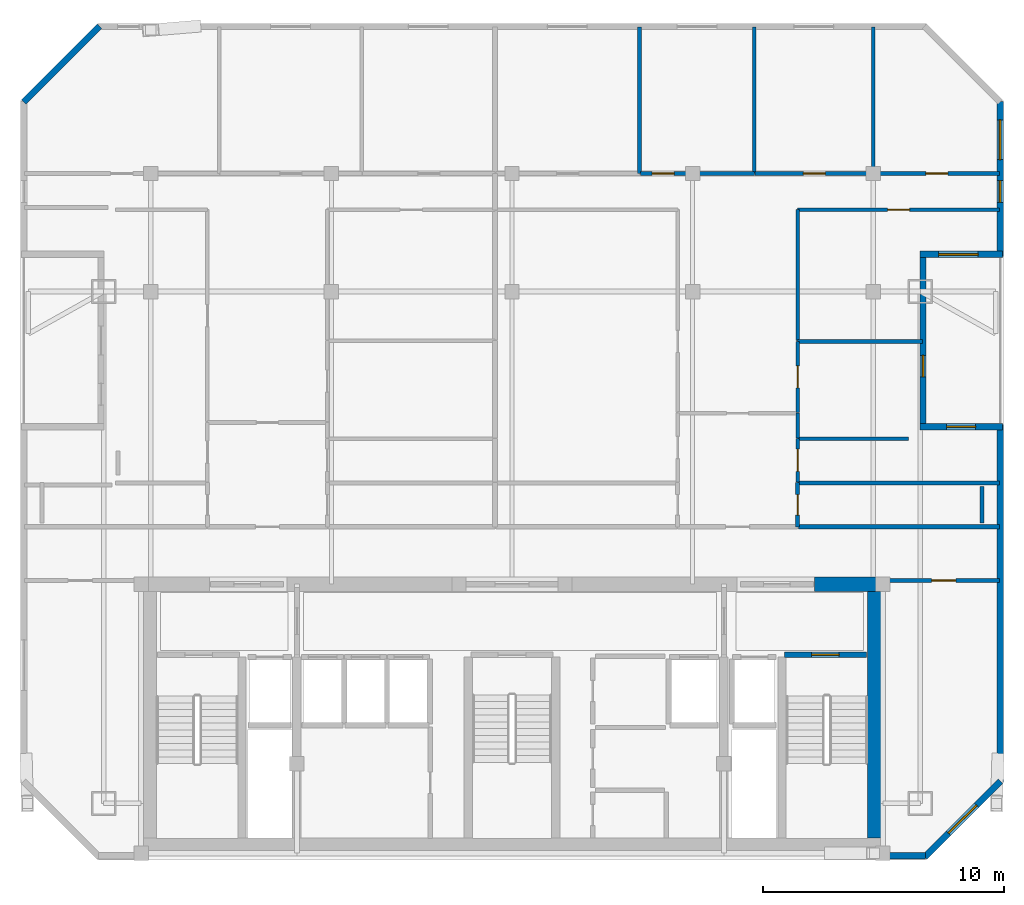
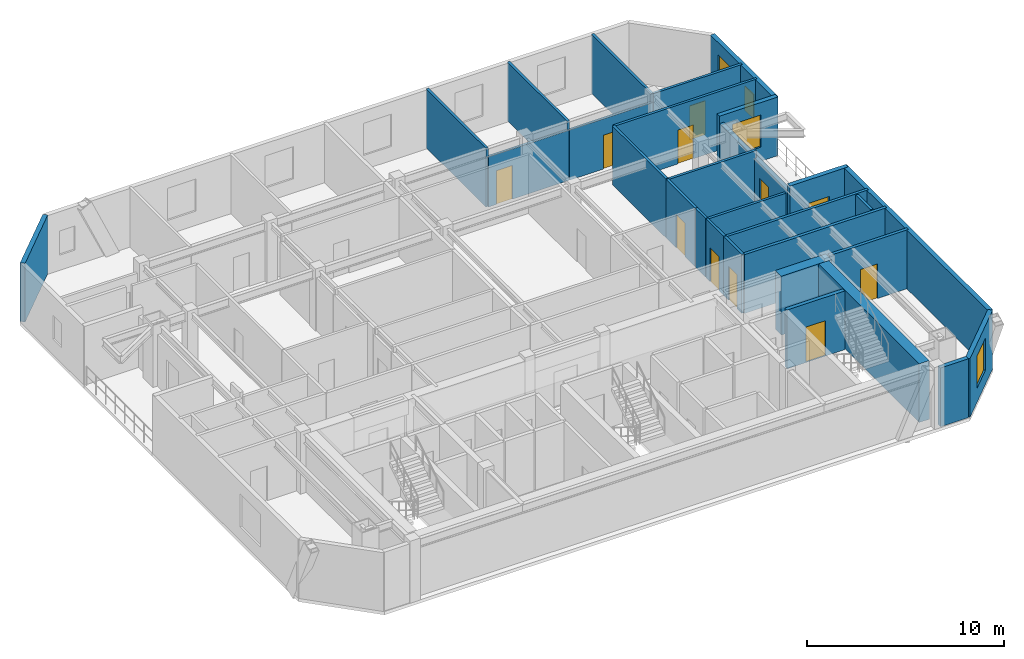
# One storey, part 5 of 7: 29 walls, 10 doors, 5 windows, 15 openings.
"""IFC4 building model written with IfcOpenShell, lengths in metres."""

import ifcopenshell
import ifcopenshell.guid

model = None  # the IFC model being written
_history = None  # IfcOwnerHistory: only IFC2X3 demands one
_inside = {}  # id of a spatial element -> (the spatial element, [elements in it])
_under = {}  # id of a project, library or spatial element -> (it, [spatial elements below it])
_declared = {}  # id of a project -> (the project, [libraries it declares])
_typed = {}  # id of a type object -> (the type object, [elements of that type])
_made_of = {}  # id of a material, layer set ... -> (it, [elements and type objects made of it])


def new_model(schema):
    """Start an empty IFC model of exactly this schema.

    Asked for "IFC4X3", IfcOpenShell would pick the latest addendum, in which some entities
    have other attributes; the version numbers below select the first issue.
    IFC2X3 requires an IfcOwnerHistory on every rooted entity: one is made here for all.
    """
    global model, _history
    if schema == "IFC4X3":
        model = ifcopenshell.file(schema_version=(4, 3, 0, 0))
    else:
        model = ifcopenshell.file(schema=schema)
    _inside.clear()
    _under.clear()
    _declared.clear()
    _typed.clear()
    _made_of.clear()
    _history = None
    if model.schema == "IFC2X3":
        org = make("IfcOrganization", Name="unknown")
        user = make(
            "IfcPersonAndOrganization",
            ThePerson=make("IfcPerson", FamilyName="unknown"),
            TheOrganization=org,
        )
        app = make(
            "IfcApplication",
            ApplicationDeveloper=org,
            Version="unknown",
            ApplicationFullName="unknown",
            ApplicationIdentifier="unknown",
        )
        _history = make(
            "IfcOwnerHistory",
            OwningUser=user,
            OwningApplication=app,
            ChangeAction="ADDED",
            CreationDate=0,
        )
    return model


def make(cls, **values):
    """One entity of the class cls with the attributes given. An attribute that is None is left unset."""
    return model.create_entity(
        cls, **{name: value for name, value in values.items() if value is not None}
    )


def rooted(cls, **values):
    """An entity with a GlobalId (a new one), such as an element, a storey or a relation."""
    return make(cls, GlobalId=ifcopenshell.guid.new(), OwnerHistory=_history, **values)


def si_unit(unit_type, name, prefix=None):
    """IfcSIUnit, for example si_unit("LENGTHUNIT", "METRE", prefix="MILLI")."""
    return make("IfcSIUnit", UnitType=unit_type, Prefix=prefix, Name=name)


def assignment(units):
    """IfcUnitAssignment: the units of a project."""
    return None if units is None else make("IfcUnitAssignment", Units=units)


def point(xyz):
    """IfcCartesianPoint."""
    return None if xyz is None else make("IfcCartesianPoint", Coordinates=xyz)


def direction(xyz):
    """IfcDirection."""
    return None if xyz is None else make("IfcDirection", DirectionRatios=xyz)


def frame(location, z_axis=None, x_axis=None):
    """IfcAxis2Placement3D, a coordinate frame: its origin and axes. An axis left out is left unset."""
    return make(
        "IfcAxis2Placement3D",
        Location=point(location),
        Axis=direction(z_axis),
        RefDirection=direction(x_axis),
    )


def frame_2d(location, x_axis=None):
    """IfcAxis2Placement2D, a coordinate frame in the plane: its origin and x axis."""
    return make(
        "IfcAxis2Placement2D", Location=point(location), RefDirection=direction(x_axis)
    )


def origin():
    """The frame at (0, 0, 0) with its axes left unset."""
    return frame((0.0, 0.0, 0.0))


def place(relative_to, where):
    """IfcLocalPlacement: puts the frame where relative to a parent placement (None: the world)."""
    return make(
        "IfcLocalPlacement", PlacementRelTo=relative_to, RelativePlacement=where
    )


def context(
    kind, dimensions, precision=None, world=None, true_north=None, identifier=None
):
    """IfcGeometricRepresentationContext, for example the 3D "Model" context."""
    return make(
        "IfcGeometricRepresentationContext",
        ContextIdentifier=identifier,
        ContextType=kind,
        CoordinateSpaceDimension=dimensions,
        Precision=precision,
        WorldCoordinateSystem=world,
        TrueNorth=true_north,
    )


def subcontext(parent, identifier, kind, view, scale=None):
    """IfcGeometricRepresentationSubContext, for example "Body" below "Model"."""
    return make(
        "IfcGeometricRepresentationSubContext",
        ContextIdentifier=identifier,
        ContextType=kind,
        ParentContext=parent,
        TargetScale=scale,
        TargetView=view,
    )


def project(units=None, contexts=None):
    """IfcProject with its units and contexts."""
    return rooted(
        "IfcProject",
        Name="project",
        RepresentationContexts=contexts,
        UnitsInContext=assignment(units),
    )


def spatial(cls, under=None, at=None, **own):
    """A site, building, storey or space (cls), placed at a placement, below another one or the project."""
    s = rooted(cls, ObjectPlacement=at, **own)
    if under is not None:
        _under.setdefault(under.id(), (under, []))[1].append(s)
    return s


def profile(cls, at=None, kind="AREA", **sizes):
    """A parametric profile (cls). Its sizes go by their IFC names, for example OverallWidth=200.0."""
    return make(cls, ProfileType=kind, Position=at, **sizes)


def rectangle(**sizes):
    """IfcRectangleProfileDef."""
    return profile("IfcRectangleProfileDef", **sizes)


def extrude(swept, where, along, depth):
    """IfcExtrudedAreaSolid: the profile swept, set in the frame where, extruded along a direction by depth."""
    return make(
        "IfcExtrudedAreaSolid",
        SweptArea=swept,
        Position=where,
        ExtrudedDirection=direction(along),
        Depth=depth,
    )


def shape(context_of_items, identifier, shape_type, items):
    """IfcShapeRepresentation: the items that make up one representation, for example the "Body"."""
    return make(
        "IfcShapeRepresentation",
        ContextOfItems=context_of_items,
        RepresentationIdentifier=identifier,
        RepresentationType=shape_type,
        Items=items,
    )


def material(Name=None, Category=None):
    """IfcMaterial."""
    return make("IfcMaterial", Name=Name, Category=Category)


def layer(
    of_material, thickness, ventilated=None, Name=None, Category=None, Priority=None
):
    """IfcMaterialLayer: one layer of a wall or slab, of a material (None: an air gap)."""
    return make(
        "IfcMaterialLayer",
        Material=of_material,
        LayerThickness=thickness,
        IsVentilated=ventilated,
        Name=Name,
        Category=Category,
        Priority=Priority,
    )


def layer_set(layers, Name=None):
    """IfcMaterialLayerSet."""
    return make("IfcMaterialLayerSet", MaterialLayers=layers, LayerSetName=Name)


def made_of(thing, what):
    """Note that an element or type object is made of a material, layer set ...; save() writes the relation."""
    if what is not None:
        _made_of.setdefault(what.id(), (what, []))[1].append(thing)
    return thing


def type_object(cls, material=None, **own):
    """A type object (cls), such as IfcWallType, which elements share."""
    return made_of(rooted(cls, **own), material)


def element(
    cls,
    number,
    at=None,
    inside=None,
    cuts=None,
    type_object=None,
    material=None,
    context=None,
    identifier="Body",
    shape_type=None,
    held_by="IfcProductDefinitionShape",
    body=None,
    shapes=None,
    **own,
):
    """One element of the class cls, such as IfcWall. Its Tag is "e" and its number.

    at: its placement. inside: the storey or other place that contains it. cuts: it is an
    opening in that element (IfcRelVoidsElement). A single representation is given by context,
    identifier, shape_type and body (its items); several are given by shapes. held_by: the class
    of the entity that holds the representations. save() writes the other relations.
    """
    e = rooted(cls, Tag="e%d" % number, ObjectPlacement=at, **own)
    if body is not None:
        shapes = [shape(context, identifier, shape_type, body)]
    if shapes is not None:
        e.Representation = make(held_by, Representations=shapes)
    if inside is not None:
        _inside.setdefault(inside.id(), (inside, []))[1].append(e)
    if cuts is not None:
        rooted(
            "IfcRelVoidsElement", RelatingBuildingElement=cuts, RelatedOpeningElement=e
        )
    if type_object is not None:
        _typed.setdefault(type_object.id(), (type_object, []))[1].append(e)
    return made_of(e, material)


def fill(opening, filler):
    """IfcRelFillsElement: the door or window that sits in an opening."""
    return rooted(
        "IfcRelFillsElement",
        RelatingOpeningElement=opening,
        RelatedBuildingElement=filler,
    )


def aggregate(whole, parts):
    """IfcRelAggregates: a whole, such as a stair, and the parts it consists of."""
    return rooted("IfcRelAggregates", RelatingObject=whole, RelatedObjects=parts)


def save(model, path):
    """Write the relations noted so far, then the file.

    IfcRelAggregates (storeys below a building ...), IfcRelContainedInSpatialStructure (elements
    in a storey), IfcRelDefinesByType, IfcRelAssociatesMaterial and IfcRelDeclares: one each for
    every whole, place, type object, material and project.
    """
    for whole, parts in _under.values():
        aggregate(whole, parts)
    for where, things in _inside.values():
        rooted(
            "IfcRelContainedInSpatialStructure",
            RelatedElements=things,
            RelatingStructure=where,
        )
    for kind, things in _typed.values():
        rooted("IfcRelDefinesByType", RelatedObjects=things, RelatingType=kind)
    for what, things in _made_of.values():
        rooted("IfcRelAssociatesMaterial", RelatedObjects=things, RelatingMaterial=what)
    for by, libraries in _declared.values():
        rooted("IfcRelDeclares", RelatingContext=by, RelatedDefinitions=libraries)
    model.write(path)


model = new_model("IFC4")

# Units and contexts
model_context = context("Model", 3, precision=1e-05, world=origin(), true_north=direction((0.0, 1.0)))
body_context = subcontext(model_context, "Body", "Model", "MODEL_VIEW")
ifc_project = project(units=[si_unit("LENGTHUNIT", "METRE"), si_unit("AREAUNIT", "SQUARE_METRE"), si_unit("VOLUMEUNIT", "CUBIC_METRE"), si_unit("PLANEANGLEUNIT", "RADIAN"), si_unit("MASSUNIT", "GRAM", prefix="KILO")], contexts=[model_context])

# Site, building, storey
site_placement = place(None, origin())
site = spatial("IfcSite", under=ifc_project, at=site_placement, CompositionType="ELEMENT")
building_placement = place(site_placement, origin())
building = spatial("IfcBuilding", under=site, at=building_placement, Name="Ventersveld Concourse Tower", CompositionType="ELEMENT")
storey_placement = place(building_placement, frame((0.0, 0.0, 281.050048828125)))
storey = spatial("IfcBuildingStorey", under=building, at=storey_placement, Name="L69", CompositionType="ELEMENT", Elevation=281.050048828125)

# Walls
ifc_material_1 = material(Name="Concrete C50/60", Category="concrete")
ifc_layer_1 = layer(ifc_material_1, 0.60009765625)
ifc_layer_set_1 = layer_set([ifc_layer_1], Name="Concrete C50/60")
wall_type_1 = type_object("IfcWallType", Name="WL-CORE-600", PredefinedType="SHEAR", material=ifc_layer_set_1)
wall_1_placement = place(storey_placement, frame((43.800048828125, 0.919921875, 0.0), z_axis=(0.0, 0.0, 1.0), x_axis=(0.0, 1.0, 0.0)))
element("IfcWall", 1, at=wall_1_placement, inside=storey, type_object=wall_type_1, Name="L69 Rear Core East Shear Wall", PredefinedType="SHEAR", context=body_context, shape_type="SweptSolid", body=[
    extrude(rectangle(XDim=10.530029296875, YDim=0.60009765625, at=frame_2d((5.26513671875, 0.0))), origin(), (0.0, 0.0, 1.0), 3.64990234375),
])
wall_2_placement = place(storey_placement, frame((41.300048828125, 11.449951171875, 0.0), z_axis=(0.0, 0.0, 1.0), x_axis=(1.0, 0.0, 0.0)))
element("IfcWall", 2, at=wall_2_placement, inside=storey, type_object=wall_type_1, Name="L69 Rear Core North Shear Wall NE", PredefinedType="SHEAR", context=body_context, shape_type="SweptSolid", body=[
    extrude(rectangle(XDim=2.949951171875, YDim=0.60009765625, at=frame_2d((1.47509765625, 0.0))), origin(), (0.0, 0.0, 1.0), 3.64990234375),
])

# Wall, opening, door
ifc_material_2 = material(Name="Fire-rated autoclaved aerated masonry blockwork", Category="masonry")
ifc_layer_2 = layer(ifc_material_2, 0.179931640625)
ifc_layer_set_2 = layer_set([ifc_layer_2], Name="Fire-rated autoclaved aerated masonry blockwork")
wall_type_2 = type_object("IfcWallType", Name="WL-CORR-180", PredefinedType="PARTITIONING", material=ifc_layer_set_2)
wall_3_placement = place(storey_placement, frame((44.35498046875, 11.60009765625, 0.0), z_axis=(0.0, 0.0, 1.0), x_axis=(1.0, 0.0, 0.0)))
wall_3 = element("IfcWall", 3, at=wall_3_placement, inside=storey, type_object=wall_type_2, Name="L69 Interior Partition SP-L69-SE-OFF-SP-L69-COR", PredefinedType="PARTITIONING", context=body_context, shape_type="SweptSolid", body=[
    extrude(rectangle(XDim=4.642333984375, YDim=0.179931640625, at=frame_2d((2.3212890625, 0.0))), origin(), (0.0, 0.0, 1.0), 3.64990234375),
])
opening_1_placement = place(wall_3_placement, frame((1.8212890625, 0.0, 0.0)))
opening_1 = element("IfcOpeningElement", 4, at=opening_1_placement, cuts=wall_3, Name="Opening FD3", PredefinedType="OPENING", context=body_context, shape_type="SweptSolid", body=[
    extrude(rectangle(XDim=1.0, YDim=2.14990234375, at=frame_2d((0.5, 1.074951171875))), frame((0.0, 0.10009765625, 0.0), z_axis=(0.0, -1.0, 0.0), x_axis=(1.0, 0.0, 0.0)), (0.0, 0.0, 1.0), 0.199951171875),
])
ifc_material_3 = material(Name="Solid-core hardwood veneer timber", Category="wood")
door_type_1 = type_object("IfcDoorType", Name="DR-FLAT-100", OperationType="NOTDEFINED", PredefinedType="DOOR", material=ifc_material_3)
door_1_placement = place(opening_1_placement, origin())
door_1 = element("IfcDoor", 5, at=door_1_placement, inside=storey, type_object=door_type_1, Name="L69 Interior Door SP-L69-SE-OFF to SP-L69-COR (D-L69-3225)", OperationType="SINGLE_SWING_LEFT", OverallHeight=2.14990234375, OverallWidth=1.0, PredefinedType="DOOR", context=body_context, shape_type="SweptSolid", body=[
    extrude(rectangle(XDim=1.0, YDim=2.14990234375, at=frame_2d((0.5, 1.074951171875))), frame((0.0, 0.02490234375, 0.0), z_axis=(0.0, -1.0, 0.0), x_axis=(1.0, 0.0, 0.0)), (0.0, 0.0, 1.0), 0.050048828125),
])
fill(opening_1, door_1)

# Wall
wall_4_placement = place(storey_placement, frame((40.642333984375, 13.830078125, 0.0), z_axis=(0.0, 0.0, 1.0), x_axis=(1.0, 0.0, 0.0)))
element("IfcWall", 6, at=wall_4_placement, inside=storey, type_object=wall_type_2, Name="L69 Interior Partition SP-L69-COR-SP-L69-69N2-PWDR1", PredefinedType="PARTITIONING", context=body_context, shape_type="SweptSolid", body=[
    extrude(rectangle(XDim=8.35498046875, YDim=0.179931640625, at=frame_2d((4.177490234375, 0.0))), origin(), (0.0, 0.0, 1.0), 3.64990234375),
])

# Wall, opening, door
ifc_layer_3 = layer(ifc_material_2, 0.219970703125)
ifc_layer_set_3 = layer_set([ifc_layer_3], Name="Fire-rated autoclaved aerated masonry blockwork")
wall_type_3 = type_object("IfcWallType", Name="WL-HOIST-220", PredefinedType="SOLIDWALL", material=ifc_layer_set_3)
wall_5_placement = place(storey_placement, frame((40.06005859375, 8.52001953125, 0.0), z_axis=(0.0, 0.0, 1.0), x_axis=(1.0, 0.0, 0.0)))
wall_5 = element("IfcWall", 7, at=wall_5_placement, inside=storey, type_object=wall_type_3, Name="L69 Escape Stair ST02 Fire Wall", PredefinedType="SOLIDWALL", context=body_context, shape_type="SweptSolid", body=[
    extrude(rectangle(XDim=3.39990234375, YDim=0.219970703125, at=frame_2d((1.699951171875, 0.0))), origin(), (0.0, 0.0, 1.0), 3.64990234375),
])
opening_2_placement = place(wall_5_placement, frame((1.125, 0.0, 0.0)))
opening_2 = element("IfcOpeningElement", 8, at=opening_2_placement, cuts=wall_5, Name="Opening FD1", PredefinedType="OPENING", context=body_context, shape_type="SweptSolid", body=[
    extrude(rectangle(XDim=1.14990234375, YDim=2.199951171875, at=frame_2d((0.574951171875, 1.10009765625))), frame((0.0, 0.1201171875, 0.0), z_axis=(0.0, -1.0, 0.0), x_axis=(1.0, 0.0, 0.0)), (0.0, 0.0, 1.0), 0.239990234375),
])
ifc_material_4 = material(Name="Galvanised painted steel", Category="steel")
door_type_2 = type_object("IfcDoorType", Name="DR-STAIR-115", OperationType="NOTDEFINED", PredefinedType="DOOR", material=ifc_material_4)
door_2_placement = place(opening_2_placement, origin())
door_2 = element("IfcDoor", 9, at=door_2_placement, inside=storey, type_object=door_type_2, Name="L69 Escape Stair Door ST02 (SD-L69-3213)", OperationType="SINGLE_SWING_RIGHT", OverallHeight=2.199951171875, OverallWidth=1.14990234375, PredefinedType="DOOR", context=body_context, shape_type="SweptSolid", body=[
    extrude(rectangle(XDim=1.14990234375, YDim=2.199951171875, at=frame_2d((0.574951171875, 1.10009765625))), frame((0.0, 0.02490234375, 0.0), z_axis=(0.0, -1.0, 0.0), x_axis=(1.0, 0.0, 0.0)), (0.0, 0.0, 1.0), 0.050048828125),
])
fill(opening_2, door_2)

ifc_material_5 = material(Name="Autoclaved aerated masonry blockwork", Category="masonry")
ifc_layer_4 = layer(ifc_material_5, 0.14990234375)
ifc_layer_set_4 = layer_set([ifc_layer_4], Name="Autoclaved aerated masonry blockwork")
wall_type_4 = type_object("IfcWallType", Name="WL-INT-150", PredefinedType="PARTITIONING", material=ifc_layer_set_4)
wall_6_placement = place(storey_placement, frame((40.607421875, 15.695068359375, 0.0), z_axis=(0.0, 0.0, 1.0), x_axis=(0.0, 1.0, 0.0)))
wall_6 = element("IfcWall", 10, at=wall_6_placement, inside=storey, type_object=wall_type_4, Name="L69 Interior Partition SP-L69-69N2-FOY-SP-L69-69N2-KIT", PredefinedType="PARTITIONING", context=body_context, shape_type="SweptSolid", body=[
    extrude(rectangle(XDim=1.800048828125, YDim=0.14990234375, at=frame_2d((0.89990234375, 0.0))), origin(), (0.0, 0.0, 1.0), 3.64990234375),
])
opening_3_placement = place(wall_6_placement, frame((0.43994140625, 0.0, 0.0)))
opening_3 = element("IfcOpeningElement", 11, at=opening_3_placement, cuts=wall_6, Name="Opening ID1", PredefinedType="OPENING", context=body_context, shape_type="SweptSolid", body=[
    extrude(rectangle(XDim=0.919921875, YDim=2.10009765625, at=frame_2d((0.4599609375, 1.050048828125))), frame((0.0, 0.0849609375, 0.0), z_axis=(0.0, -1.0, 0.0), x_axis=(1.0, 0.0, 0.0)), (0.0, 0.0, 1.0), 0.169921875),
])
door_type_3 = type_object("IfcDoorType", Name="DR-ROOM-092", OperationType="NOTDEFINED", PredefinedType="DOOR", material=ifc_material_3)
door_3_placement = place(opening_3_placement, origin())
door_3 = element("IfcDoor", 12, at=door_3_placement, inside=storey, type_object=door_type_3, Name="L69 Interior Door SP-L69-69N2-FOY to SP-L69-69N2-KIT (D-L69-3243)", OperationType="SINGLE_SWING_LEFT", OverallHeight=2.10009765625, OverallWidth=0.919921875, PredefinedType="DOOR", context=body_context, shape_type="SweptSolid", body=[
    extrude(rectangle(XDim=0.919921875, YDim=2.10009765625, at=frame_2d((0.4599609375, 1.050048828125))), frame((0.0, 0.02490234375, 0.0), z_axis=(0.0, -1.0, 0.0), x_axis=(1.0, 0.0, 0.0)), (0.0, 0.0, 1.0), 0.050048828125),
])
fill(opening_3, door_3)

# Wall
wall_7_placement = place(storey_placement, frame((40.607421875, 17.52490234375, 0.0), z_axis=(0.0, 0.0, 1.0), x_axis=(0.0, 1.0, 0.0)))
element("IfcWall", 13, at=wall_7_placement, inside=storey, type_object=wall_type_4, Name="L69 Interior Partition SP-L69-69N2-FOY-SP-L69-69N2-DENR", PredefinedType="PARTITIONING", context=body_context, shape_type="SweptSolid", body=[
    extrude(rectangle(XDim=1.029541015625, YDim=0.14990234375, at=frame_2d((0.5146484375, 0.0))), origin(), (0.0, 0.0, 1.0), 3.64990234375),
])

# Wall, opening, door
wall_8_placement = place(storey_placement, frame((40.607421875, 18.58447265625, 0.0), z_axis=(0.0, 0.0, 1.0), x_axis=(0.0, 1.0, 0.0)))
wall_8 = element("IfcWall", 14, at=wall_8_placement, inside=storey, type_object=wall_type_4, Name="L69 Interior Partition SP-L69-69N2-LIV-SP-L69-69N2-DENR", PredefinedType="PARTITIONING", context=body_context, shape_type="SweptSolid", body=[
    extrude(rectangle(XDim=2.945068359375, YDim=0.14990234375, at=frame_2d((1.47265625, 0.0))), origin(), (0.0, 0.0, 1.0), 3.64990234375),
])
opening_4_placement = place(wall_8_placement, frame((1.012451171875, 0.0, 0.0)))
opening_4 = element("IfcOpeningElement", 15, at=opening_4_placement, cuts=wall_8, Name="Opening ID1", PredefinedType="OPENING", context=body_context, shape_type="SweptSolid", body=[
    extrude(rectangle(XDim=0.919921875, YDim=2.10009765625, at=frame_2d((0.4599609375, 1.050048828125))), frame((0.0, 0.0849609375, 0.0), z_axis=(0.0, -1.0, 0.0), x_axis=(1.0, 0.0, 0.0)), (0.0, 0.0, 1.0), 0.169921875),
])
door_4_placement = place(opening_4_placement, origin())
door_4 = element("IfcDoor", 16, at=door_4_placement, inside=storey, type_object=door_type_3, Name="L69 Interior Door SP-L69-69N2-LIV to SP-L69-69N2-DENR (D-L69-3245)", OperationType="SINGLE_SWING_LEFT", OverallHeight=2.10009765625, OverallWidth=0.919921875, PredefinedType="DOOR", context=body_context, shape_type="SweptSolid", body=[
    extrude(rectangle(XDim=0.919921875, YDim=2.10009765625, at=frame_2d((0.4599609375, 1.050048828125))), frame((0.0, 0.02490234375, 0.0), z_axis=(0.0, -1.0, 0.0), x_axis=(1.0, 0.0, 0.0)), (0.0, 0.0, 1.0), 0.050048828125),
])
fill(opening_4, door_4)

wall_9_placement = place(storey_placement, frame((40.602294921875, 27.0, 0.0), z_axis=(0.0, 0.0, 1.0), x_axis=(1.0, 0.0, 0.0)))
wall_9 = element("IfcWall", 17, at=wall_9_placement, inside=storey, type_object=wall_type_4, Name="L69 Interior Partition SP-L69-69N2-LIV-SP-L69-69N2-DENS2", PredefinedType="PARTITIONING", context=body_context, shape_type="SweptSolid", body=[
    extrude(rectangle(XDim=8.39501953125, YDim=0.14990234375, at=frame_2d((4.197509765625, 0.0))), origin(), (0.0, 0.0, 1.0), 3.64990234375),
])
opening_5_placement = place(wall_9_placement, frame((3.737548828125, 0.0, 0.0)))
opening_5 = element("IfcOpeningElement", 18, at=opening_5_placement, cuts=wall_9, Name="Opening ID1", PredefinedType="OPENING", context=body_context, shape_type="SweptSolid", body=[
    extrude(rectangle(XDim=0.919921875, YDim=2.10009765625, at=frame_2d((0.4599609375, 1.050048828125))), frame((0.0, 0.0849609375, 0.0), z_axis=(0.0, -1.0, 0.0), x_axis=(1.0, 0.0, 0.0)), (0.0, 0.0, 1.0), 0.169921875),
])
door_5_placement = place(opening_5_placement, origin())
door_5 = element("IfcDoor", 19, at=door_5_placement, inside=storey, type_object=door_type_3, Name="L69 Interior Door SP-L69-69N2-LIV to SP-L69-69N2-DENS2 (D-L69-3246)", OperationType="SINGLE_SWING_RIGHT", OverallHeight=2.10009765625, OverallWidth=0.919921875, PredefinedType="DOOR", context=body_context, shape_type="SweptSolid", body=[
    extrude(rectangle(XDim=0.919921875, YDim=2.10009765625, at=frame_2d((0.4599609375, 1.050048828125))), frame((0.0, 0.02490234375, 0.0), z_axis=(0.0, -1.0, 0.0), x_axis=(1.0, 0.0, 0.0)), (0.0, 0.0, 1.0), 0.050048828125),
])
fill(opening_5, door_5)

# Wall
wall_10_placement = place(storey_placement, frame((40.607421875, 21.5595703125, 0.0), z_axis=(0.0, 0.0, 1.0), x_axis=(0.0, 1.0, 0.0)))
element("IfcWall", 20, at=wall_10_placement, inside=storey, type_object=wall_type_4, Name="L69 Interior Partition SP-L69-69N2-LIV-SP-L69-69N2-DENS2", PredefinedType="PARTITIONING", context=body_context, shape_type="SweptSolid", body=[
    extrude(rectangle(XDim=5.4453125, YDim=0.14990234375, at=frame_2d((2.72265625, 0.0))), origin(), (0.0, 0.0, 1.0), 3.64990234375),
])

# Wall, opening, door
wall_11_placement = place(storey_placement, frame((34.07666015625, 28.5, 0.0), z_axis=(0.0, 0.0, 1.0), x_axis=(1.0, 0.0, 0.0)))
wall_11 = element("IfcWall", 21, at=wall_11_placement, inside=storey, type_object=wall_type_4, Name="L69 Interior Partition SP-L69-69N2-LIV-SP-L69-69N2-BR2", PredefinedType="PARTITIONING", context=body_context, shape_type="SweptSolid", body=[
    extrude(rectangle(XDim=4.74169921875, YDim=0.14990234375, at=frame_2d((2.370849609375, 0.0))), origin(), (0.0, 0.0, 1.0), 3.116943359375),
])
opening_6_placement = place(wall_11_placement, frame((0.48828125, 0.0, 0.0)))
opening_6 = element("IfcOpeningElement", 22, at=opening_6_placement, cuts=wall_11, Name="Opening ID1", PredefinedType="OPENING", context=body_context, shape_type="SweptSolid", body=[
    extrude(rectangle(XDim=0.919921875, YDim=2.10009765625, at=frame_2d((0.4599609375, 1.050048828125))), frame((0.0, 0.0849609375, 0.0), z_axis=(0.0, -1.0, 0.0), x_axis=(1.0, 0.0, 0.0)), (0.0, 0.0, 1.0), 0.169921875),
])
door_6_placement = place(opening_6_placement, origin())
door_6 = element("IfcDoor", 23, at=door_6_placement, inside=storey, type_object=door_type_3, Name="L69 Interior Door SP-L69-69N2-LIV to SP-L69-69N2-BR2 (D-L69-3248)", OperationType="SINGLE_SWING_RIGHT", OverallHeight=2.10009765625, OverallWidth=0.919921875, PredefinedType="DOOR", context=body_context, shape_type="SweptSolid", body=[
    extrude(rectangle(XDim=0.919921875, YDim=2.10009765625, at=frame_2d((0.4599609375, 1.050048828125))), frame((0.0, 0.02490234375, 0.0), z_axis=(0.0, -1.0, 0.0), x_axis=(1.0, 0.0, 0.0)), (0.0, 0.0, 1.0), 0.050048828125),
])
fill(opening_6, door_6)

wall_12_placement = place(storey_placement, frame((38.848388671875, 28.5, 0.0), z_axis=(0.0, 0.0, 1.0), x_axis=(1.0, 0.0, 0.0)))
wall_12 = element("IfcWall", 24, at=wall_12_placement, inside=storey, type_object=wall_type_4, Name="L69 Interior Partition SP-L69-69N2-LIV-SP-L69-69N2-BR3", PredefinedType="PARTITIONING", context=body_context, shape_type="SweptSolid", body=[
    extrude(rectangle(XDim=4.906494140625, YDim=0.14990234375, at=frame_2d((2.453125, 0.0))), origin(), (0.0, 0.0, 1.0), 3.116943359375),
])
opening_7_placement = place(wall_12_placement, frame((1.993408203125, 0.0, 0.0)))
opening_7 = element("IfcOpeningElement", 25, at=opening_7_placement, cuts=wall_12, Name="Opening ID1", PredefinedType="OPENING", context=body_context, shape_type="SweptSolid", body=[
    extrude(rectangle(XDim=0.919921875, YDim=2.10009765625, at=frame_2d((0.4599609375, 1.050048828125))), frame((0.0, 0.0849609375, 0.0), z_axis=(0.0, -1.0, 0.0), x_axis=(1.0, 0.0, 0.0)), (0.0, 0.0, 1.0), 0.169921875),
])
door_7_placement = place(opening_7_placement, origin())
door_7 = element("IfcDoor", 26, at=door_7_placement, inside=storey, type_object=door_type_3, Name="L69 Interior Door SP-L69-69N2-LIV to SP-L69-69N2-BR3 (D-L69-3249)", OperationType="SINGLE_SWING_LEFT", OverallHeight=2.10009765625, OverallWidth=0.919921875, PredefinedType="DOOR", context=body_context, shape_type="SweptSolid", body=[
    extrude(rectangle(XDim=0.919921875, YDim=2.10009765625, at=frame_2d((0.4599609375, 1.050048828125))), frame((0.0, 0.02490234375, 0.0), z_axis=(0.0, -1.0, 0.0), x_axis=(1.0, 0.0, 0.0)), (0.0, 0.0, 1.0), 0.050048828125),
])
fill(opening_7, door_7)

wall_13_placement = place(storey_placement, frame((43.784912109375, 28.5, 0.0), z_axis=(0.0, 0.0, 1.0), x_axis=(1.0, 0.0, 0.0)))
wall_13 = element("IfcWall", 27, at=wall_13_placement, inside=storey, type_object=wall_type_4, Name="L69 Interior Partition SP-L69-69N2-LIV-SP-L69-69N2-BR4", PredefinedType="PARTITIONING", context=body_context, shape_type="SweptSolid", body=[
    extrude(rectangle(XDim=5.21240234375, YDim=0.14990234375, at=frame_2d((2.606201171875, 0.0))), origin(), (0.0, 0.0, 1.0), 3.64990234375),
])
opening_8_placement = place(wall_13_placement, frame((2.146240234375, 0.0, 0.0)))
opening_8 = element("IfcOpeningElement", 28, at=opening_8_placement, cuts=wall_13, Name="Opening ID1", PredefinedType="OPENING", context=body_context, shape_type="SweptSolid", body=[
    extrude(rectangle(XDim=0.919921875, YDim=2.10009765625, at=frame_2d((0.4599609375, 1.050048828125))), frame((0.0, 0.0849609375, 0.0), z_axis=(0.0, -1.0, 0.0), x_axis=(1.0, 0.0, 0.0)), (0.0, 0.0, 1.0), 0.169921875),
])
door_8_placement = place(opening_8_placement, origin())
door_8 = element("IfcDoor", 29, at=door_8_placement, inside=storey, type_object=door_type_3, Name="L69 Interior Door SP-L69-69N2-LIV to SP-L69-69N2-BR4 (D-L69-3250)", OperationType="SINGLE_SWING_RIGHT", OverallHeight=2.10009765625, OverallWidth=0.919921875, PredefinedType="DOOR", context=body_context, shape_type="SweptSolid", body=[
    extrude(rectangle(XDim=0.919921875, YDim=2.10009765625, at=frame_2d((0.4599609375, 1.050048828125))), frame((0.0, 0.02490234375, 0.0), z_axis=(0.0, -1.0, 0.0), x_axis=(1.0, 0.0, 0.0)), (0.0, 0.0, 1.0), 0.050048828125),
])
fill(opening_8, door_8)

# Walls
wall_14_placement = place(storey_placement, frame((40.602294921875, 17.489990234375, 0.0), z_axis=(0.0, 0.0, 1.0), x_axis=(1.0, 0.0, 0.0)))
element("IfcWall", 30, at=wall_14_placement, inside=storey, type_object=wall_type_4, Name="L69 Interior Partition SP-L69-69N2-KIT-SP-L69-69N2-DENR", PredefinedType="PARTITIONING", context=body_context, shape_type="SweptSolid", body=[
    extrude(rectangle(XDim=4.599609375, YDim=0.14990234375, at=frame_2d((2.2998046875, 0.0))), origin(), (0.0, 0.0, 1.0), 3.64990234375),
])
wall_15_placement = place(storey_placement, frame((40.602294921875, 21.524658203125, 0.0), z_axis=(0.0, 0.0, 1.0), x_axis=(1.0, 0.0, 0.0)))
element("IfcWall", 31, at=wall_15_placement, inside=storey, type_object=wall_type_4, Name="L69 Interior Partition SP-L69-69N2-DENR-SP-L69-69N2-DENS2", PredefinedType="PARTITIONING", context=body_context, shape_type="SweptSolid", body=[
    extrude(rectangle(XDim=5.195068359375, YDim=0.14990234375, at=frame_2d((2.59765625, 0.0))), origin(), (0.0, 0.0, 1.0), 3.64990234375),
])
for number, where, z_axis, x_axis, name in (
    (32, (34.04150390625, 28.4951171875, 0.0), (0.0, 0.0, 1.0), (0.0, 1.0, 0.0), "L69 Interior Partition SP-L69-69N2-BR1-SP-L69-69N2-BR2"),
    (33, (38.8134765625, 28.4951171875, 0.0), (0.0, 0.0, 1.0), (0.0, 1.0, 0.0), "L69 Interior Partition SP-L69-69N2-BR2-SP-L69-69N2-BR3"),
    (34, (43.75, 28.4951171875, 0.0), (0.0, 0.0, 1.0), (0.0, 1.0, 0.0), "L69 Interior Partition SP-L69-69N2-BR3-SP-L69-69N2-BR4"),
):
    element("IfcWall", number, at=place(storey_placement, frame(where, z_axis=z_axis, x_axis=x_axis)), inside=storey, type_object=wall_type_4, Name=name, PredefinedType="PARTITIONING", context=body_context, shape_type="SweptSolid", body=[
        extrude(rectangle(XDim=6.087890625, YDim=0.14990234375, at=frame_2d((3.0439453125, 0.0))), origin(), (0.0, 0.0, 1.0), 3.64990234375),
    ])
ifc_material_6 = material(Name="Precast concrete C45/55", Category="concrete")
ifc_layer_5 = layer(ifc_material_6, 0.260009765625)
ifc_layer_set_5 = layer_set([ifc_layer_5], Name="Precast concrete C45/55")
wall_type_5 = type_object("IfcWallType", Name="WL-PREC-260", PredefinedType="SOLIDWALL", material=ifc_layer_set_5)
wall_16_placement = place(storey_placement, frame((44.25, 0.179931640625, 0.0), z_axis=(0.0, 0.0, 1.0), x_axis=(1.0, 0.0, 0.0)))
element("IfcWall", 35, at=wall_16_placement, inside=storey, type_object=wall_type_5, Name="L69 South-East Flank Precast Wall", PredefinedType="SOLIDWALL", context=body_context, shape_type="SweptSolid", body=[
    extrude(rectangle(XDim=1.656982421875, YDim=0.260009765625, at=frame_2d((0.82861328125, 0.0))), origin(), (0.0, 0.0, 1.0), 3.64990234375),
])

# Wall, opening, window
wall_17_placement = place(storey_placement, frame((45.88330078125, 0.1201171875, 0.0), z_axis=(0.0, 0.0, 1.0), x_axis=(0.707079321262, 0.707134240044, 0.0)))
wall_17 = element("IfcWall", 36, at=wall_17_placement, inside=storey, type_object=wall_type_5, Name="L69 Highveld Precast Facade Wall E02", PredefinedType="SOLIDWALL", context=body_context, shape_type="SweptSolid", body=[
    extrude(rectangle(XDim=4.445556640625, YDim=0.260009765625, at=frame_2d((2.22265625, 0.0))), origin(), (0.0, 0.0, 1.0), 3.64990234375),
])
opening_9_placement = place(wall_17_placement, frame((1.397705078125, 0.0, 0.8798828125)))
opening_9 = element("IfcOpeningElement", 37, at=opening_9_placement, cuts=wall_17, Name="Opening W6", PredefinedType="OPENING", context=body_context, shape_type="SweptSolid", body=[
    extrude(rectangle(XDim=1.64990234375, YDim=2.0, at=frame_2d((0.824951171875, 1.0))), frame((0.0, 0.14013671875, 0.0), z_axis=(0.0, -1.0, 0.0), x_axis=(1.0, 0.0, 0.0)), (0.0, 0.0, 1.0), 0.280029296875),
])
ifc_material_7 = material(Name="Tempered acoustic Low-E IGU", Category="glass")
window_type_1 = type_object("IfcWindowType", Name="WIN-165x200", PartitioningType="SINGLE_PANEL", PredefinedType="WINDOW", material=ifc_material_7)
window_1_placement = place(opening_9_placement, origin())
window_1 = element("IfcWindow", 38, at=window_1_placement, inside=storey, type_object=window_type_1, Name="L69 Punched Low-E Window W-0982", OverallHeight=2.0, OverallWidth=1.64990234375, PartitioningType="SINGLE_PANEL", PredefinedType="WINDOW", context=body_context, shape_type="SweptSolid", body=[
    extrude(rectangle(XDim=1.64990234375, YDim=2.0, at=frame_2d((0.824951171875, 1.0))), frame((0.0, 0.030029296875, 0.0), z_axis=(0.0, -1.0, 0.0), x_axis=(1.0, 0.0, 0.0)), (0.0, 0.0, 1.0), 0.06005859375),
])
fill(opening_9, window_1)

# Wall
wall_18_placement = place(storey_placement, frame((49.016845703125, 3.239990234375, 0.0), z_axis=(0.0, 0.0, 1.0), x_axis=(0.0, 1.0, 0.0)))
element("IfcWall", 39, at=wall_18_placement, inside=storey, type_object=wall_type_5, Name="L69 Highveld Precast Facade Wall E03", PredefinedType="SOLIDWALL", context=body_context, shape_type="SweptSolid", body=[
    extrude(rectangle(XDim=14.83642578125, YDim=0.260009765625, at=frame_2d((7.418212890625, 0.0))), origin(), (0.0, 0.0, 1.0), 3.64990234375),
])

# Wall, opening, door
wall_19_placement = place(storey_placement, frame((49.10693359375, 17.986328125, 0.0), z_axis=(0.0, 0.0, 1.0), x_axis=(-1.0, 0.0, 0.0)))
wall_19 = element("IfcWall", 40, at=wall_19_placement, inside=storey, type_object=wall_type_5, Name="L69 Highveld Precast Facade Wall E04", PredefinedType="SOLIDWALL", context=body_context, shape_type="SweptSolid", body=[
    extrude(rectangle(XDim=3.419921875, YDim=0.260009765625, at=frame_2d((1.7099609375, 0.0))), origin(), (0.0, 0.0, 1.0), 3.64990234375),
])
opening_10_placement = place(wall_19_placement, frame((1.110107421875, 0.0, 0.0)))
opening_10 = element("IfcOpeningElement", 41, at=opening_10_placement, cuts=wall_19, Name="Opening TD1", PredefinedType="OPENING", context=body_context, shape_type="SweptSolid", body=[
    extrude(rectangle(XDim=1.199951171875, YDim=2.199951171875, at=frame_2d((0.60009765625, 1.10009765625))), frame((0.0, 0.14013671875, 0.0), z_axis=(0.0, -1.0, 0.0), x_axis=(1.0, 0.0, 0.0)), (0.0, 0.0, 1.0), 0.280029296875),
])
ifc_material_8 = material(Name="Anodised aluminium EN AW-6063-T6", Category="aluminium")
door_type_4 = type_object("IfcDoorType", Name="DR-TERR-120", OperationType="NOTDEFINED", PredefinedType="DOOR", material=ifc_material_8)
door_9_placement = place(opening_10_placement, frame((1.199951171875, 0.0, 0.0), z_axis=(0.0, 0.0, 1.0), x_axis=(-1.0, 0.0, 0.0)))
door_9 = element("IfcDoor", 42, at=door_9_placement, inside=storey, type_object=door_type_4, Name="L69 Stepped Valley Terrace Door TD-L69-02", OperationType="SINGLE_SWING_LEFT", OverallHeight=2.199951171875, OverallWidth=1.199951171875, PredefinedType="DOOR", context=body_context, shape_type="SweptSolid", body=[
    extrude(rectangle(XDim=1.199951171875, YDim=2.199951171875, at=frame_2d((0.60009765625, 1.10009765625))), frame((0.0, 0.02490234375, 0.0), z_axis=(0.0, -1.0, 0.0), x_axis=(1.0, 0.0, 0.0)), (0.0, 0.0, 1.0), 0.050048828125),
])
fill(opening_10, door_9)

# Wall, opening, window
wall_20_placement = place(storey_placement, frame((45.81689453125, 18.1162109375, 0.0), z_axis=(0.0, 0.0, 1.0), x_axis=(0.0, 1.0, 0.0)))
wall_20 = element("IfcWall", 43, at=wall_20_placement, inside=storey, type_object=wall_type_5, Name="L69 Highveld Precast Facade Wall E05", PredefinedType="SOLIDWALL", context=body_context, shape_type="SweptSolid", body=[
    extrude(rectangle(XDim=6.900146484375, YDim=0.260009765625, at=frame_2d((3.4501953125, 0.0))), origin(), (0.0, 0.0, 1.0), 3.18994140625),
])
opening_11_placement = place(wall_20_placement, frame((1.935791015625, 0.0, 0.85009765625)))
opening_11 = element("IfcOpeningElement", 44, at=opening_11_placement, cuts=wall_20, Name="Opening W8", PredefinedType="OPENING", context=body_context, shape_type="SweptSolid", body=[
    extrude(rectangle(XDim=0.89990234375, YDim=1.39990234375, at=frame_2d((0.449951171875, 0.699951171875))), frame((0.0, 0.14013671875, 0.0), z_axis=(0.0, -1.0, 0.0), x_axis=(1.0, 0.0, 0.0)), (0.0, 0.0, 1.0), 0.280029296875),
])
window_type_2 = type_object("IfcWindowType", Name="WIN-090x140", PartitioningType="SINGLE_PANEL", PredefinedType="WINDOW", material=ifc_material_7)
window_2_placement = place(opening_11_placement, origin())
window_2 = element("IfcWindow", 45, at=window_2_placement, inside=storey, type_object=window_type_2, Name="L69 Punched Low-E Window W-0989", OverallHeight=1.39990234375, OverallWidth=0.89990234375, PartitioningType="SINGLE_PANEL", PredefinedType="WINDOW", context=body_context, shape_type="SweptSolid", body=[
    extrude(rectangle(XDim=0.89990234375, YDim=1.39990234375, at=frame_2d((0.449951171875, 0.699951171875))), frame((0.0, 0.030029296875, 0.0), z_axis=(0.0, -1.0, 0.0), x_axis=(1.0, 0.0, 0.0)), (0.0, 0.0, 1.0), 0.06005859375),
])
fill(opening_11, window_2)

wall_21_placement = place(storey_placement, frame((45.68701171875, 25.146240234375, 0.0), z_axis=(0.0, 0.0, 1.0), x_axis=(1.0, 0.0, 0.0)))
wall_21 = element("IfcWall", 46, at=wall_21_placement, inside=storey, type_object=wall_type_5, Name="L69 Highveld Precast Facade Wall E06", PredefinedType="SOLIDWALL", context=body_context, shape_type="SweptSolid", body=[
    extrude(rectangle(XDim=3.419921875, YDim=0.260009765625, at=frame_2d((1.7099609375, 0.0))), origin(), (0.0, 0.0, 1.0), 3.64990234375),
])
opening_12_placement = place(wall_21_placement, frame((0.77001953125, 0.0, 0.8798828125)))
opening_12 = element("IfcOpeningElement", 47, at=opening_12_placement, cuts=wall_21, Name="Opening W6", PredefinedType="OPENING", context=body_context, shape_type="SweptSolid", body=[
    extrude(rectangle(XDim=1.64990234375, YDim=2.0, at=frame_2d((0.824951171875, 1.0))), frame((0.0, 0.14013671875, 0.0), z_axis=(0.0, -1.0, 0.0), x_axis=(1.0, 0.0, 0.0)), (0.0, 0.0, 1.0), 0.280029296875),
])
window_3_placement = place(opening_12_placement, origin())
window_3 = element("IfcWindow", 48, at=window_3_placement, inside=storey, type_object=window_type_1, Name="L69 Punched Low-E Window W-0990", OverallHeight=2.0, OverallWidth=1.64990234375, PartitioningType="SINGLE_PANEL", PredefinedType="WINDOW", context=body_context, shape_type="SweptSolid", body=[
    extrude(rectangle(XDim=1.64990234375, YDim=2.0, at=frame_2d((0.824951171875, 1.0))), frame((0.0, 0.030029296875, 0.0), z_axis=(0.0, -1.0, 0.0), x_axis=(1.0, 0.0, 0.0)), (0.0, 0.0, 1.0), 0.06005859375),
])
fill(opening_12, window_3)

# Wall, openings, windows
wall_22_placement = place(storey_placement, frame((49.016845703125, 25.056396484375, 0.0), z_axis=(0.0, 0.0, 1.0), x_axis=(0.0, 1.0, 0.0)))
wall_22 = element("IfcWall", 49, at=wall_22_placement, inside=storey, type_object=wall_type_5, Name="L69 Highveld Precast Facade Wall E07", PredefinedType="SOLIDWALL", context=body_context, shape_type="SweptSolid", body=[
    extrude(rectangle(XDim=6.43603515625, YDim=0.260009765625, at=frame_2d((3.218017578125, 0.0))), origin(), (0.0, 0.0, 1.0), 3.64990234375),
])
opening_13_placement = place(wall_22_placement, frame((2.24365234375, 0.0, 0.949951171875)))
opening_13 = element("IfcOpeningElement", 50, at=opening_13_placement, cuts=wall_22, Name="Opening W4", PredefinedType="OPENING", context=body_context, shape_type="SweptSolid", body=[
    extrude(rectangle(XDim=0.89990234375, YDim=1.5, at=frame_2d((0.449951171875, 0.75))), frame((0.0, 0.14013671875, 0.0), z_axis=(0.0, -1.0, 0.0), x_axis=(1.0, 0.0, 0.0)), (0.0, 0.0, 1.0), 0.280029296875),
])
opening_14_placement = place(wall_22_placement, frame((4.01611328125, 0.0, 0.8798828125)))
opening_14 = element("IfcOpeningElement", 51, at=opening_14_placement, cuts=wall_22, Name="Opening W6", PredefinedType="OPENING", context=body_context, shape_type="SweptSolid", body=[
    extrude(rectangle(XDim=1.64990234375, YDim=2.0, at=frame_2d((0.824951171875, 1.0))), frame((0.0, 0.14013671875, 0.0), z_axis=(0.0, -1.0, 0.0), x_axis=(1.0, 0.0, 0.0)), (0.0, 0.0, 1.0), 0.280029296875),
])
window_type_3 = type_object("IfcWindowType", Name="WIN-090x150", PartitioningType="SINGLE_PANEL", PredefinedType="WINDOW", material=ifc_material_7)
window_4_placement = place(opening_13_placement, origin())
window_4 = element("IfcWindow", 52, at=window_4_placement, inside=storey, type_object=window_type_3, Name="L69 Punched Low-E Window W-0988", OverallHeight=1.5, OverallWidth=0.89990234375, PartitioningType="SINGLE_PANEL", PredefinedType="WINDOW", context=body_context, shape_type="SweptSolid", body=[
    extrude(rectangle(XDim=0.89990234375, YDim=1.5, at=frame_2d((0.449951171875, 0.75))), frame((0.0, 0.030029296875, 0.0), z_axis=(0.0, -1.0, 0.0), x_axis=(1.0, 0.0, 0.0)), (0.0, 0.0, 1.0), 0.06005859375),
])
fill(opening_13, window_4)
window_5_placement = place(opening_14_placement, origin())
window_5 = element("IfcWindow", 53, at=window_5_placement, inside=storey, type_object=window_type_1, Name="L69 Punched Low-E Window W-0994", OverallHeight=2.0, OverallWidth=1.64990234375, PartitioningType="SINGLE_PANEL", PredefinedType="WINDOW", context=body_context, shape_type="SweptSolid", body=[
    extrude(rectangle(XDim=1.64990234375, YDim=2.0, at=frame_2d((0.824951171875, 1.0))), frame((0.0, 0.030029296875, 0.0), z_axis=(0.0, -1.0, 0.0), x_axis=(1.0, 0.0, 0.0)), (0.0, 0.0, 1.0), 0.06005859375),
])
fill(opening_14, window_5)

# Wall
wall_23_placement = place(storey_placement, frame((11.61669921875, 34.6123046875, 0.0), z_axis=(0.0, 0.0, 1.0), x_axis=(-0.707106781187, -0.707106781187, 0.0)))
element("IfcWall", 54, at=wall_23_placement, inside=storey, type_object=wall_type_5, Name="L69 Highveld Precast Facade Wall E10", PredefinedType="SOLIDWALL", context=body_context, shape_type="SweptSolid", body=[
    extrude(rectangle(XDim=4.4453125, YDim=0.260009765625, at=frame_2d((2.22265625, 0.0))), origin(), (0.0, 0.0, 1.0), 3.64990234375),
])

# Wall, opening, door
ifc_layer_6 = layer(ifc_material_5, 0.1650390625)
ifc_layer_set_6 = layer_set([ifc_layer_6], Name="Autoclaved aerated masonry blockwork")
wall_type_6 = type_object("IfcWallType", Name="WL-WET-165", PredefinedType="PLUMBINGWALL", material=ifc_layer_set_6)
wall_24_placement = place(storey_placement, frame((40.607421875, 13.824951171875, 0.0), z_axis=(0.0, 0.0, 1.0), x_axis=(0.0, 1.0, 0.0)))
wall_24 = element("IfcWall", 55, at=wall_24_placement, inside=storey, type_object=wall_type_6, Name="L69 Interior Partition SP-L69-69N2-FOY-SP-L69-69N2-PWDR1", PredefinedType="PLUMBINGWALL", context=body_context, shape_type="SweptSolid", body=[
    extrude(rectangle(XDim=1.840087890625, YDim=0.1650390625, at=frame_2d((0.919921875, 0.0))), origin(), (0.0, 0.0, 1.0), 3.64990234375),
])
opening_15_placement = place(wall_24_placement, frame((0.4951171875, 0.0, 0.0)))
opening_15 = element("IfcOpeningElement", 56, at=opening_15_placement, cuts=wall_24, Name="Opening ID2", PredefinedType="OPENING", context=body_context, shape_type="SweptSolid", body=[
    extrude(rectangle(XDim=0.85009765625, YDim=2.10009765625, at=frame_2d((0.425048828125, 1.050048828125))), frame((0.0, 0.092529296875, 0.0), z_axis=(0.0, -1.0, 0.0), x_axis=(1.0, 0.0, 0.0)), (0.0, 0.0, 1.0), 0.18505859375),
])
door_type_5 = type_object("IfcDoorType", Name="DR-BATH-085", OperationType="NOTDEFINED", PredefinedType="DOOR", material=ifc_material_3)
door_10_placement = place(opening_15_placement, origin())
door_10 = element("IfcDoor", 57, at=door_10_placement, inside=storey, type_object=door_type_5, Name="L69 Interior Door SP-L69-69N2-FOY to SP-L69-69N2-PWDR1 (D-L69-3242)", OperationType="SINGLE_SWING_RIGHT", OverallHeight=2.10009765625, OverallWidth=0.85009765625, PredefinedType="DOOR", context=body_context, shape_type="SweptSolid", body=[
    extrude(rectangle(XDim=0.85009765625, YDim=2.10009765625, at=frame_2d((0.425048828125, 1.050048828125))), frame((0.0, 0.02490234375, 0.0), z_axis=(0.0, -1.0, 0.0), x_axis=(1.0, 0.0, 0.0)), (0.0, 0.0, 1.0), 0.050048828125),
])
fill(opening_15, door_10)

# Walls
wall_25_placement = place(storey_placement, frame((40.602294921875, 15.659912109375, 0.0), z_axis=(0.0, 0.0, 1.0), x_axis=(1.0, 0.0, 0.0)))
element("IfcWall", 58, at=wall_25_placement, inside=storey, type_object=wall_type_6, Name="L69 Interior Partition SP-L69-69N2-PWDR1-SP-L69-69N2-KIT", PredefinedType="PLUMBINGWALL", context=body_context, shape_type="SweptSolid", body=[
    extrude(rectangle(XDim=8.39501953125, YDim=0.1650390625, at=frame_2d((4.197509765625, 0.0))), origin(), (0.0, 0.0, 1.0), 3.64990234375),
])
wall_26_placement = place(storey_placement, frame((48.266845703125, 15.4951171875, 0.0), z_axis=(0.0, 0.0, 1.0), x_axis=(0.0, -1.0, 0.0)))
element("IfcWall", 59, at=wall_26_placement, inside=storey, type_object=wall_type_6, Name="L69 Room Enclosure Wall SP-L69-69N2-PWDR1", PredefinedType="PLUMBINGWALL", context=body_context, shape_type="SweptSolid", body=[
    extrude(rectangle(XDim=1.5, YDim=0.1650390625, at=frame_2d((0.75, 0.0))), origin(), (0.0, 0.0, 1.0), 3.64990234375),
])

save(model, "model.ifc")
